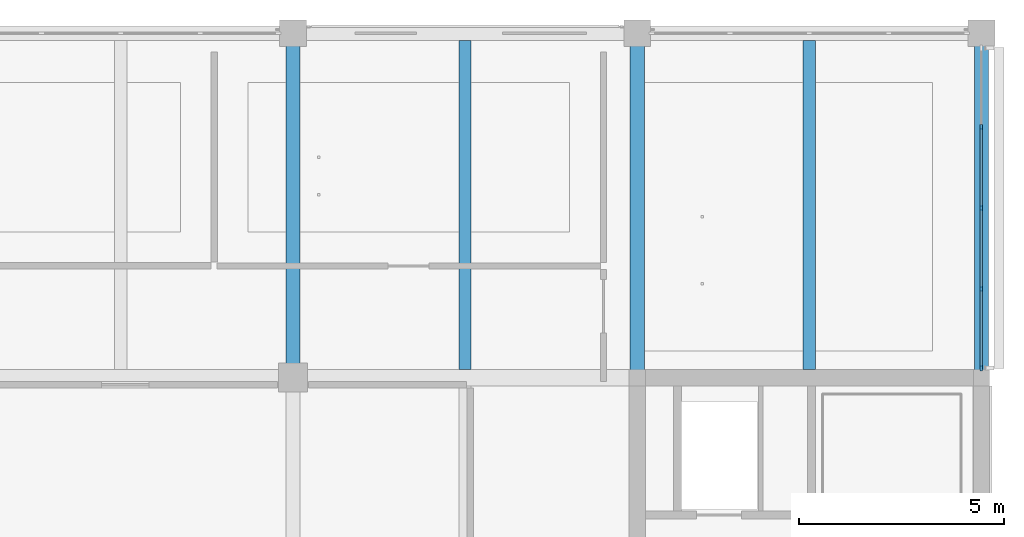
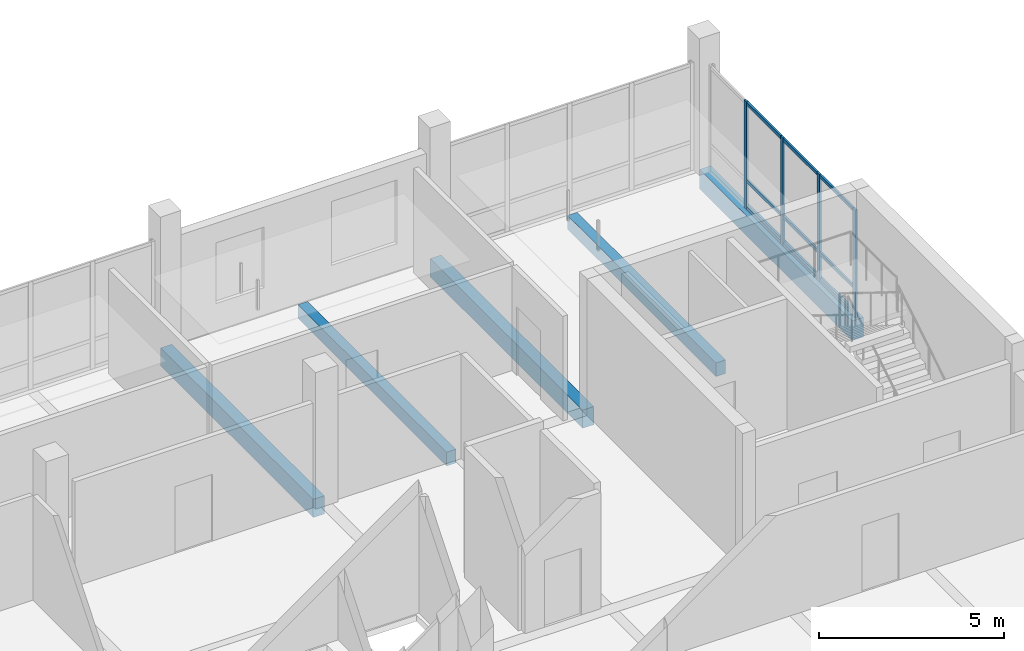
# One storey, part 5 of 28: 13 members, 5 beams, 1 element without a shape of its own.
"""IFC4 building model written with IfcOpenShell, lengths in metres."""

from ifc_helpers import new_model, si_unit, direction, frame, origin, origin_2d, place, context, subcontext, project, spatial, rectangle, extrude, material, layer, layer_set, material_profile, profile_set, type_object, element, aggregate, save


model = new_model("IFC4")

# Units and contexts
model_context = context("Model", 3, precision=1e-05, world=origin(), true_north=direction((0.0, 1.0)))
body_context = subcontext(model_context, "Body", "Model", "MODEL_VIEW")
ifc_project = project(units=[si_unit("LENGTHUNIT", "METRE"), si_unit("AREAUNIT", "SQUARE_METRE"), si_unit("VOLUMEUNIT", "CUBIC_METRE"), si_unit("PLANEANGLEUNIT", "RADIAN"), si_unit("MASSUNIT", "GRAM", prefix="KILO")], contexts=[model_context])

# Site, building, storey
site_placement = place(None, origin())
site = spatial("IfcSite", under=ifc_project, at=site_placement, CompositionType="ELEMENT")
building_placement = place(site_placement, origin())
building = spatial("IfcBuilding", under=site, at=building_placement, Name="Telukmera Botanical Conservatory", CompositionType="ELEMENT")
storey_placement = place(building_placement, frame((0.0, 0.0, 51.0)))
storey = spatial("IfcBuildingStorey", under=building, at=storey_placement, Name="L11", CompositionType="ELEMENT", Elevation=51.0)

# Beams
ifc_material_1 = material(Name="Concrete C40/50", Category="concrete")
ifc_material_profile_1 = material_profile(ifc_material_1, rectangle(XDim=0.300048828125, YDim=0.449951171875, at=origin_2d()), Name="RC 300x450")
ifc_profile_set_1 = profile_set([ifc_material_profile_1], Name="Concrete C40/50")
beam_type_1 = type_object("IfcBeamType", Name="Beam_B25", PredefinedType="JOIST", material=ifc_profile_set_1)
for number, where, z_axis, x_axis, name in (
    (1, (88.199951171875, 34.60009765625, -0.22509765625), (0.0, 1.0, 0.0), (-1.0, 0.0, 0.0), "Tower Secondary Floor Joist L11"),
    (2, (96.60009765625, 34.60009765625, -0.22509765625), (0.0, 1.0, 0.0), (-1.0, 0.0, 0.0), "Tower Secondary Floor Joist L11"),
):
    element("IfcBeam", number, at=place(storey_placement, frame(where, z_axis=z_axis, x_axis=x_axis)), inside=storey, type_object=beam_type_1, Name=name, PredefinedType="JOIST", context=body_context, shape_type="SweptSolid", body=[
        extrude(rectangle(XDim=0.300048828125, YDim=0.449951171875, at=origin_2d()), origin(), (0.0, 0.0, 1.0), 8.02490234375),
    ])
ifc_material_profile_2 = material_profile(ifc_material_1, rectangle(XDim=0.35009765625, YDim=0.60009765625, at=origin_2d()), Name="RC 350x600")
ifc_profile_set_2 = profile_set([ifc_material_profile_2], Name="Concrete C40/50")
beam_type_2 = type_object("IfcBeamType", Name="Beam_B9", PredefinedType="BEAM", material=ifc_profile_set_2)
for number, where, z_axis, x_axis, name in (
    (3, (84.0, 34.47998046875, -0.300048828125), (0.0, 1.0, 0.0), (-1.0, 0.0, 0.0), "Tower Transverse Beam L11"),
    (4, (92.39990234375, 34.47998046875, -0.300048828125), (0.0, 1.0, 0.0), (-1.0, 0.0, 0.0), "Tower Transverse Beam L11"),
):
    element("IfcBeam", number, at=place(storey_placement, frame(where, z_axis=z_axis, x_axis=x_axis)), inside=storey, type_object=beam_type_2, Name=name, PredefinedType="BEAM", context=body_context, shape_type="SweptSolid", body=[
        extrude(rectangle(XDim=0.35009765625, YDim=0.60009765625, at=origin_2d()), origin(), (0.0, 0.0, 1.0), 8.239990234375),
    ])
ifc_material_2 = material(Name="Precast concrete C40/50", Category="concrete")
ifc_material_profile_3 = material_profile(ifc_material_2, rectangle(XDim=0.35009765625, YDim=0.64990234375, at=origin_2d()), Name="PC 350x650")
ifc_profile_set_3 = profile_set([ifc_material_profile_3], Name="Precast concrete C40/50")
beam_type_3 = type_object("IfcBeamType", Name="Beam_SP3", PredefinedType="SPANDREL", material=ifc_profile_set_3)
beam_placement = place(storey_placement, frame((100.800048828125, 34.47998046875, -0.324951171875), z_axis=(0.0, 1.0, 0.0), x_axis=(-1.0, 0.0, 0.0)))
element("IfcBeam", 5, at=beam_placement, inside=storey, type_object=beam_type_3, Name="Tower Transverse Beam L11", PredefinedType="SPANDREL", context=body_context, shape_type="SweptSolid", body=[
    extrude(rectangle(XDim=0.35009765625, YDim=0.64990234375, at=origin_2d()), origin(), (0.0, 0.0, 1.0), 8.239990234375),
])

# Curtain wall, members
ifc_material_3 = material(Name="Anodised aluminium 6063-T6", Category="aluminium")
ifc_layer = layer(ifc_material_3, 0.179931640625)
ifc_layer_set = layer_set([ifc_layer], Name="Anodised aluminium 6063-T6")
curtain_wall_type = type_object("IfcCurtainWallType", Name="Tower Research Laboratory Unitised Curtain Wall", PredefinedType="USERDEFINED", material=ifc_layer_set)
curtain_wall_placement = place(storey_placement, origin())
curtain_wall = element("IfcCurtainWall", 6, at=curtain_wall_placement, inside=storey, type_object=curtain_wall_type, Name="Unitised Curtain Wall CW15 V4:L11:E4", ObjectType="UNITISED CURTAIN WALL", PredefinedType="USERDEFINED")
ifc_material_profile_4 = material_profile(ifc_material_3, rectangle(XDim=0.06005859375, YDim=0.139892578125, at=origin_2d()), Name="ALU MULL 60x140")
ifc_profile_set_4 = profile_set([ifc_material_profile_4], Name="Anodised aluminium 6063-T6")
member_type_1 = type_object("IfcMemberType", Name="Curtain Wall Extruded Mullion 60x140", PredefinedType="MULLION", material=ifc_profile_set_4)
member_1_placement = place(storey_placement, frame((100.800048828125, 34.632080078125, 0.0), z_axis=(0.0, 0.0, 1.0), x_axis=(-1.0, 0.0, 0.0)))
member_1 = element("IfcMember", 7, at=member_1_placement, type_object=member_type_1, Name="CW15 mullion 1", PredefinedType="MULLION", context=body_context, shape_type="SweptSolid", body=[
    extrude(rectangle(XDim=0.06005859375, YDim=0.139892578125, at=origin_2d()), origin(), (0.0, 0.0, 1.0), 3.550048828125),
])
member_2_placement = place(storey_placement, frame((100.800048828125, 36.56982421875, 0.0), z_axis=(0.0, 0.0, 1.0), x_axis=(-1.0, 0.0, 0.0)))
member_2 = element("IfcMember", 8, at=member_2_placement, type_object=member_type_1, Name="CW15 mullion 2", PredefinedType="MULLION", context=body_context, shape_type="SweptSolid", body=[
    extrude(rectangle(XDim=0.06005859375, YDim=0.139892578125, at=origin_2d()), origin(), (0.0, 0.0, 1.0), 3.550048828125),
])
member_3_placement = place(storey_placement, frame((100.800048828125, 38.53759765625, 0.0), z_axis=(0.0, 0.0, 1.0), x_axis=(-1.0, 0.0, 0.0)))
member_3 = element("IfcMember", 9, at=member_3_placement, type_object=member_type_1, Name="CW15 mullion 3", PredefinedType="MULLION", context=body_context, shape_type="SweptSolid", body=[
    extrude(rectangle(XDim=0.06005859375, YDim=0.139892578125, at=origin_2d()), origin(), (0.0, 0.0, 1.0), 3.550048828125),
])
member_4_placement = place(storey_placement, frame((100.800048828125, 40.50537109375, 0.0), z_axis=(0.0, 0.0, 1.0), x_axis=(-1.0, 0.0, 0.0)))
member_4 = element("IfcMember", 10, at=member_4_placement, type_object=member_type_1, Name="CW15 mullion 4", PredefinedType="MULLION", context=body_context, shape_type="SweptSolid", body=[
    extrude(rectangle(XDim=0.06005859375, YDim=0.139892578125, at=origin_2d()), origin(), (0.0, 0.0, 1.0), 3.550048828125),
])
ifc_material_profile_5 = material_profile(ifc_material_3, rectangle(XDim=0.06005859375, YDim=0.110107421875, at=origin_2d()), Name="ALU TRAN 60x110")
ifc_profile_set_5 = profile_set([ifc_material_profile_5], Name="Anodised aluminium 6063-T6")
member_type_2 = type_object("IfcMemberType", Name="Curtain Wall Extruded Transom 60x110", PredefinedType="USERDEFINED", material=ifc_profile_set_5)
member_5_placement = place(storey_placement, frame((100.800048828125, 34.662109375, 0.054931640625), z_axis=(0.0, 1.0, 0.0), x_axis=(-1.0, 0.0, 0.0)))
member_5 = element("IfcMember", 11, at=member_5_placement, type_object=member_type_2, Name="CW15 transom 1.1", ObjectType="TRANSOM", PredefinedType="USERDEFINED", context=body_context, shape_type="SweptSolid", body=[
    extrude(rectangle(XDim=0.06005859375, YDim=0.110107421875, at=origin_2d()), origin(), (0.0, 0.0, 1.0), 1.877685546875),
])
member_6_placement = place(storey_placement, frame((100.800048828125, 34.662109375, 0.949951171875), z_axis=(0.0, 1.0, 0.0), x_axis=(-1.0, 0.0, 0.0)))
member_6 = element("IfcMember", 12, at=member_6_placement, type_object=member_type_2, Name="CW15 transom 1.2", ObjectType="TRANSOM", PredefinedType="USERDEFINED", context=body_context, shape_type="SweptSolid", body=[
    extrude(rectangle(XDim=0.06005859375, YDim=0.110107421875, at=origin_2d()), origin(), (0.0, 0.0, 1.0), 1.877685546875),
])
member_7_placement = place(storey_placement, frame((100.800048828125, 34.662109375, 3.4951171875), z_axis=(0.0, 1.0, 0.0), x_axis=(-1.0, 0.0, 0.0)))
member_7 = element("IfcMember", 13, at=member_7_placement, type_object=member_type_2, Name="CW15 transom 1.3", ObjectType="TRANSOM", PredefinedType="USERDEFINED", context=body_context, shape_type="SweptSolid", body=[
    extrude(rectangle(XDim=0.06005859375, YDim=0.110107421875, at=origin_2d()), origin(), (0.0, 0.0, 1.0), 1.877685546875),
])
member_8_placement = place(storey_placement, frame((100.800048828125, 36.599853515625, 0.054931640625), z_axis=(0.0, 1.0, 0.0), x_axis=(-1.0, 0.0, 0.0)))
member_8 = element("IfcMember", 14, at=member_8_placement, type_object=member_type_2, Name="CW15 transom 2.1", ObjectType="TRANSOM", PredefinedType="USERDEFINED", context=body_context, shape_type="SweptSolid", body=[
    extrude(rectangle(XDim=0.06005859375, YDim=0.110107421875, at=origin_2d()), origin(), (0.0, 0.0, 1.0), 1.90771484375),
])
member_9_placement = place(storey_placement, frame((100.800048828125, 36.599853515625, 0.949951171875), z_axis=(0.0, 1.0, 0.0), x_axis=(-1.0, 0.0, 0.0)))
member_9 = element("IfcMember", 15, at=member_9_placement, type_object=member_type_2, Name="CW15 transom 2.2", ObjectType="TRANSOM", PredefinedType="USERDEFINED", context=body_context, shape_type="SweptSolid", body=[
    extrude(rectangle(XDim=0.06005859375, YDim=0.110107421875, at=origin_2d()), origin(), (0.0, 0.0, 1.0), 1.90771484375),
])
member_10_placement = place(storey_placement, frame((100.800048828125, 36.599853515625, 3.4951171875), z_axis=(0.0, 1.0, 0.0), x_axis=(-1.0, 0.0, 0.0)))
member_10 = element("IfcMember", 16, at=member_10_placement, type_object=member_type_2, Name="CW15 transom 2.3", ObjectType="TRANSOM", PredefinedType="USERDEFINED", context=body_context, shape_type="SweptSolid", body=[
    extrude(rectangle(XDim=0.06005859375, YDim=0.110107421875, at=origin_2d()), origin(), (0.0, 0.0, 1.0), 1.90771484375),
])
member_11_placement = place(storey_placement, frame((100.800048828125, 38.5673828125, 0.054931640625), z_axis=(0.0, 1.0, 0.0), x_axis=(-1.0, 0.0, 0.0)))
member_11 = element("IfcMember", 17, at=member_11_placement, type_object=member_type_2, Name="CW15 transom 3.1", ObjectType="TRANSOM", PredefinedType="USERDEFINED", context=body_context, shape_type="SweptSolid", body=[
    extrude(rectangle(XDim=0.06005859375, YDim=0.110107421875, at=origin_2d()), origin(), (0.0, 0.0, 1.0), 1.907958984375),
])
member_12_placement = place(storey_placement, frame((100.800048828125, 38.5673828125, 0.949951171875), z_axis=(0.0, 1.0, 0.0), x_axis=(-1.0, 0.0, 0.0)))
member_12 = element("IfcMember", 18, at=member_12_placement, type_object=member_type_2, Name="CW15 transom 3.2", ObjectType="TRANSOM", PredefinedType="USERDEFINED", context=body_context, shape_type="SweptSolid", body=[
    extrude(rectangle(XDim=0.06005859375, YDim=0.110107421875, at=origin_2d()), origin(), (0.0, 0.0, 1.0), 1.907958984375),
])
member_13_placement = place(storey_placement, frame((100.800048828125, 38.5673828125, 3.4951171875), z_axis=(0.0, 1.0, 0.0), x_axis=(-1.0, 0.0, 0.0)))
member_13 = element("IfcMember", 19, at=member_13_placement, type_object=member_type_2, Name="CW15 transom 3.3", ObjectType="TRANSOM", PredefinedType="USERDEFINED", context=body_context, shape_type="SweptSolid", body=[
    extrude(rectangle(XDim=0.06005859375, YDim=0.110107421875, at=origin_2d()), origin(), (0.0, 0.0, 1.0), 1.907958984375),
])
aggregate(curtain_wall, [member_1, member_2, member_3, member_4, member_5, member_6, member_7, member_8, member_9, member_10, member_11, member_12, member_13])

save(model, "model.ifc")
